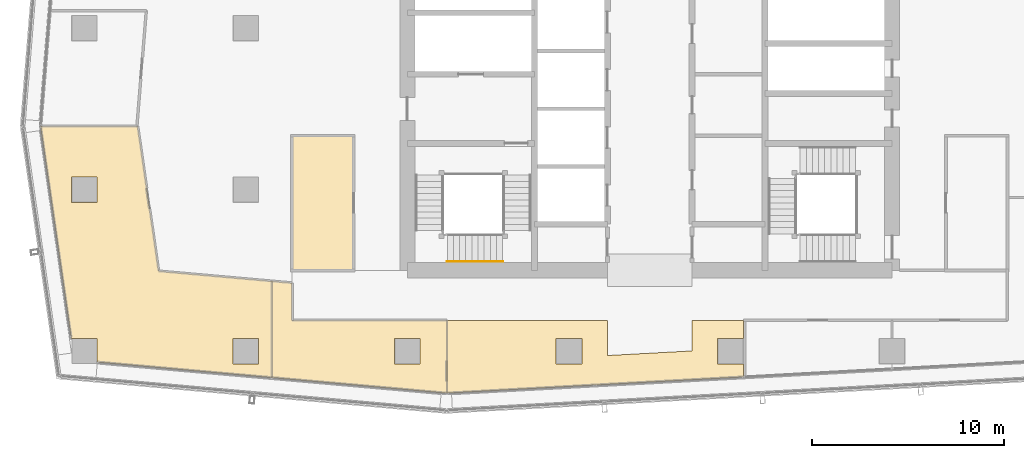
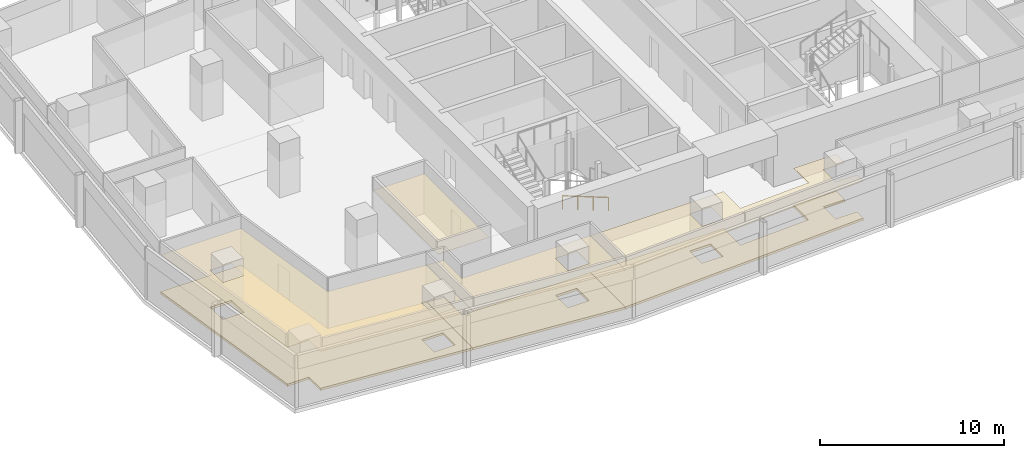
# One storey, part 26 of 29: 7 coverings, 1 railing.
"""IFC4 building model written with IfcOpenShell, lengths in metres."""

from ifc_helpers import new_model, si_unit, direction, frame, origin, origin_2d, place, context, subcontext, project, spatial, polyline, circle, outline, extrude, material, layer, layer_set, type_object, element, save


model = new_model("IFC4")

# Units and contexts
model_context = context("Model", 3, precision=1e-05, world=origin(), true_north=direction((0.0, 1.0)))
body_context = subcontext(model_context, "Body", "Model", "MODEL_VIEW")
ifc_project = project(units=[si_unit("LENGTHUNIT", "METRE"), si_unit("AREAUNIT", "SQUARE_METRE"), si_unit("VOLUMEUNIT", "CUBIC_METRE"), si_unit("PLANEANGLEUNIT", "RADIAN"), si_unit("MASSUNIT", "GRAM", prefix="KILO")], contexts=[model_context])

# Site, building, storey
site_placement = place(None, origin())
site = spatial("IfcSite", under=ifc_project, at=site_placement, CompositionType="ELEMENT")
building_placement = place(site_placement, origin())
building = spatial("IfcBuilding", under=site, at=building_placement, Name="Rekha Terrace Tower", CompositionType="ELEMENT")
storey_placement = place(building_placement, frame((0.0, 0.0, 261.35009765625)))
storey = spatial("IfcBuildingStorey", under=building, at=storey_placement, Name="L66", CompositionType="ELEMENT", Elevation=261.35009765625)

# Coverings
ifc_material_1 = material(Name="Mineral fibre tile in exposed grid", Category="finish")
ifc_layer_1 = layer(ifc_material_1, 0.02001953125)
ifc_layer_set_1 = layer_set([ifc_layer_1], Name="Mineral fibre tile in exposed grid")
covering_type_1 = type_object("IfcCoveringType", Name="CL1 600x1200 office grid ceiling", PredefinedType="CEILING", material=ifc_layer_set_1)
covering_1_placement = place(storey_placement, frame((0.0, 0.0, 2.579833984375)))
element("IfcCovering", 1, at=covering_1_placement, inside=storey, type_object=covering_type_1, Name="Ceiling L66-15", PredefinedType="CEILING", context=body_context, shape_type="SweptSolid", body=[
    extrude(outline(polyline([(6.12109375, 28.490966796875), (7.715087890625, 17.465087890625), (9.06494140625, 17.465087890625), (9.06494140625, 16.22705078125), (18.14892578125, 15.4189453125), (18.14892578125, 20.43896484375), (12.260986328125, 20.9619140625), (11.173095703125, 28.490966796875), (6.12109375, 28.490966796875)]), holes=[polyline([(17.465087890625, 17.465087890625), (17.465087890625, 16.135009765625), (16.135009765625, 16.135009765625), (16.135009765625, 17.465087890625), (17.465087890625, 17.465087890625)]), polyline([(9.06494140625, 25.864990234375), (9.06494140625, 24.534912109375), (7.735107421875, 24.534912109375), (7.735107421875, 25.864990234375), (9.06494140625, 25.864990234375)])]), origin(), (0.0, 0.0, 1.0), 0.02001953125),
])
covering_2_placement = place(storey_placement, frame((0.0, 0.0, 2.579833984375)))
element("IfcCovering", 2, at=covering_2_placement, inside=storey, type_object=covering_type_1, Name="Ceiling L66-16", PredefinedType="CEILING", context=body_context, shape_type="SweptSolid", body=[
    extrude(outline(polyline([(27.25390625, 14.610107421875), (27.25390625, 18.39990234375), (19.199951171875, 18.39990234375), (19.199951171875, 20.345947265625), (18.14990234375, 20.43896484375), (18.14990234375, 15.4189453125), (27.25390625, 14.610107421875)]), holes=[polyline([(25.864990234375, 17.465087890625), (25.864990234375, 16.135009765625), (24.534912109375, 16.135009765625), (24.534912109375, 17.465087890625), (25.864990234375, 17.465087890625)])]), origin(), (0.0, 0.0, 1.0), 0.02001953125),
])
covering_3_placement = place(storey_placement, frame((0.0, 0.0, 2.579833984375)))
element("IfcCovering", 3, at=covering_3_placement, inside=storey, type_object=covering_type_1, Name="Ceiling L66-O3", PredefinedType="CEILING", context=body_context, shape_type="SweptSolid", body=[
    extrude(outline(polyline([(40.0, 18.39990234375), (40.0, 16.81103515625), (35.60009765625, 16.571044921875), (35.60009765625, 18.39990234375), (27.25390625, 18.39990234375), (27.25390625, 14.614990234375), (42.673095703125, 15.4541015625), (42.673095703125, 16.135009765625), (41.3349609375, 16.135009765625), (41.3349609375, 17.465087890625), (42.673095703125, 17.465087890625), (42.673095703125, 18.39990234375), (40.0, 18.39990234375)]), holes=[polyline([(34.264892578125, 16.135009765625), (32.93505859375, 16.135009765625), (32.93505859375, 17.465087890625), (34.264892578125, 17.465087890625), (34.264892578125, 16.135009765625)])]), origin(), (0.0, 0.0, 1.0), 0.02001953125),
])
ifc_material_2 = material(Name="Fibre cement board", Category="finish")
ifc_layer_2 = layer(ifc_material_2, 0.014892578125)
ifc_layer_set_2 = layer_set([ifc_layer_2], Name="Fibre cement board")
covering_type_2 = type_object("IfcCoveringType", Name="CL2 moisture-resistant board ceiling", PredefinedType="CEILING", material=ifc_layer_set_2)
covering_4_placement = place(storey_placement, frame((0.0, 0.0, 2.5849609375)))
element("IfcCovering", 4, at=covering_4_placement, inside=storey, type_object=covering_type_2, Name="Ceiling L66-WCM", PredefinedType="CEILING", context=body_context, shape_type="SweptSolid", body=[
    extrude(outline(polyline([(22.39990234375, 28.0), (19.199951171875, 28.0), (19.199951171875, 21.0), (22.39990234375, 21.0), (22.39990234375, 28.0)])), origin(), (0.0, 0.0, 1.0), 0.014892578125),
])

# Railing
ifc_material_3 = material(Name="Stainless steel tube", Category="steel")
railing_type = type_object("IfcRailingType", Name="HR1 900 stair handrail", PredefinedType="HANDRAIL", material=ifc_material_3)
railing_placement = place(storey_placement, frame((30.14990234375, 21.4599609375, 1.375)))
element("IfcRailing", 5, at=railing_placement, inside=storey, type_object=railing_type, Name="Handrail ST1 L66 flight 2", PredefinedType="HANDRAIL", context=body_context, shape_type="SweptSolid", body=[
    extrude(circle(Radius=0.02392578125, at=origin_2d()), frame((0.0, 0.0, 0.8759765625), z_axis=(-0.931452331594, 0.0, 0.363863372667), x_axis=(0.0, -1.0, 0.0)), (0.0, 0.0, 1.0), 3.091796875),
    extrude(circle(Radius=0.02099609375, at=origin_2d()), origin(), (0.0, 0.0, 1.0), 0.851806640625),
    extrude(circle(Radius=0.02099609375, at=origin_2d()), frame((-0.9599609375, 0.0, 0.375)), (0.0, 0.0, 1.0), 0.851806640625),
    extrude(circle(Radius=0.02099609375, at=origin_2d()), frame((-1.919921875, 0.0, 0.75)), (0.0, 0.0, 1.0), 0.851806640625),
    extrude(circle(Radius=0.02099609375, at=origin_2d()), frame((-2.8798828125, 0.0, 1.125)), (0.0, 0.0, 1.0), 0.851806640625),
])

# Coverings
ifc_material_4 = material(Name="Calcium sulphate panels on steel pedestals", Category="steel")
ifc_layer_3 = layer(ifc_material_4, 0.14990234375)
ifc_layer_set_3 = layer_set([ifc_layer_3], Name="Calcium sulphate panels on steel pedestals")
covering_type_3 = type_object("IfcCoveringType", Name="RF1 150 raised access floor", PredefinedType="FLOORING", material=ifc_layer_set_3)
covering_5_placement = place(storey_placement, origin())
element("IfcCovering", 6, at=covering_5_placement, inside=storey, type_object=covering_type_3, Name="Raised floor L66-15", PredefinedType="FLOORING", context=body_context, shape_type="SweptSolid", body=[
    extrude(outline(polyline([(6.12109375, 28.490966796875), (7.715087890625, 17.465087890625), (9.06494140625, 17.465087890625), (9.06494140625, 16.22705078125), (18.14892578125, 15.4189453125), (18.14892578125, 20.43896484375), (12.260986328125, 20.9619140625), (11.173095703125, 28.490966796875), (6.12109375, 28.490966796875)]), holes=[polyline([(17.465087890625, 17.465087890625), (17.465087890625, 16.135009765625), (16.135009765625, 16.135009765625), (16.135009765625, 17.465087890625), (17.465087890625, 17.465087890625)]), polyline([(9.06494140625, 25.864990234375), (9.06494140625, 24.534912109375), (7.735107421875, 24.534912109375), (7.735107421875, 25.864990234375), (9.06494140625, 25.864990234375)])]), origin(), (0.0, 0.0, 1.0), 0.14990234375),
])
covering_6_placement = place(storey_placement, origin())
element("IfcCovering", 7, at=covering_6_placement, inside=storey, type_object=covering_type_3, Name="Raised floor L66-16", PredefinedType="FLOORING", context=body_context, shape_type="SweptSolid", body=[
    extrude(outline(polyline([(27.25390625, 14.610107421875), (27.25390625, 18.39990234375), (19.199951171875, 18.39990234375), (19.199951171875, 20.345947265625), (18.14990234375, 20.43896484375), (18.14990234375, 15.4189453125), (27.25390625, 14.610107421875)]), holes=[polyline([(25.864990234375, 17.465087890625), (25.864990234375, 16.135009765625), (24.534912109375, 16.135009765625), (24.534912109375, 17.465087890625), (25.864990234375, 17.465087890625)])]), origin(), (0.0, 0.0, 1.0), 0.14990234375),
])
covering_7_placement = place(storey_placement, origin())
element("IfcCovering", 8, at=covering_7_placement, inside=storey, type_object=covering_type_3, Name="Raised floor L66-O3", PredefinedType="FLOORING", context=body_context, shape_type="SweptSolid", body=[
    extrude(outline(polyline([(40.0, 18.39990234375), (40.0, 16.81103515625), (35.60009765625, 16.571044921875), (35.60009765625, 18.39990234375), (27.25390625, 18.39990234375), (27.25390625, 14.614990234375), (42.673095703125, 15.4541015625), (42.673095703125, 16.135009765625), (41.3349609375, 16.135009765625), (41.3349609375, 17.465087890625), (42.673095703125, 17.465087890625), (42.673095703125, 18.39990234375), (40.0, 18.39990234375)]), holes=[polyline([(34.264892578125, 16.135009765625), (32.93505859375, 16.135009765625), (32.93505859375, 17.465087890625), (34.264892578125, 17.465087890625), (34.264892578125, 16.135009765625)])]), origin(), (0.0, 0.0, 1.0), 0.14990234375),
])

save(model, "model.ifc")
